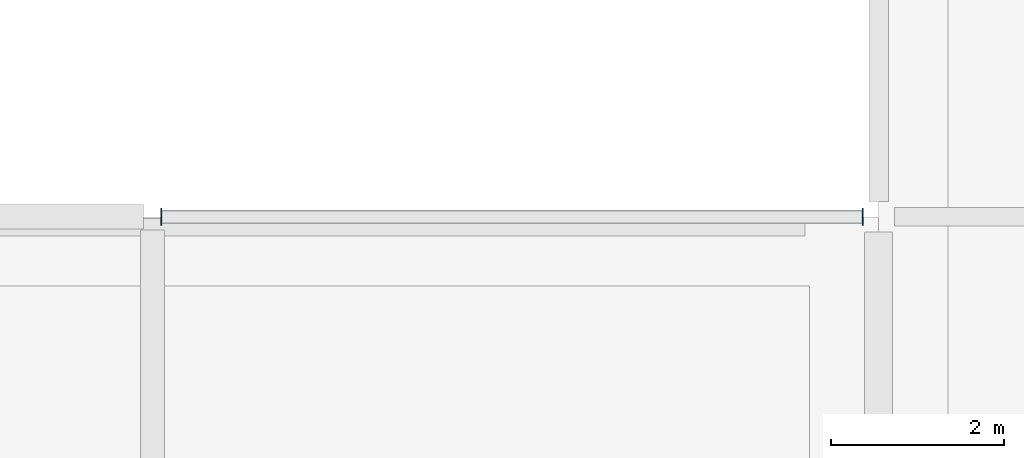
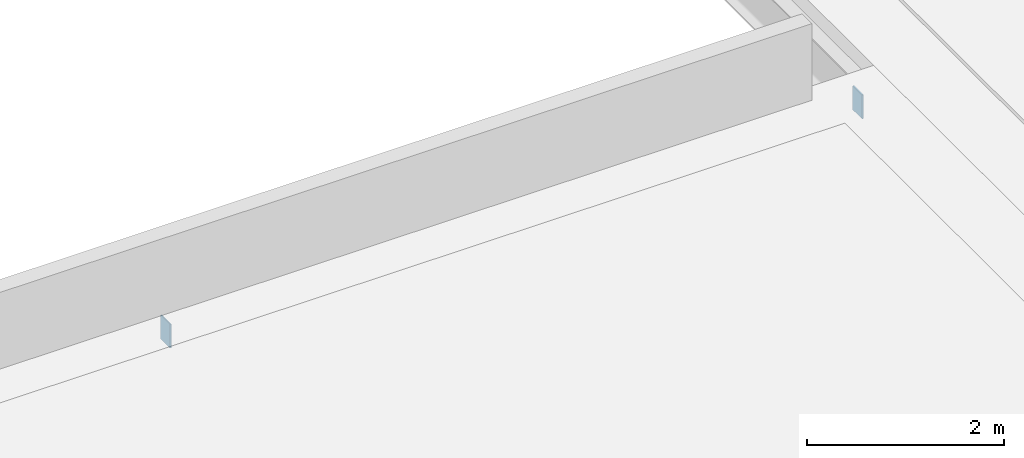
# One storey, part 119 of 153: 2 plates.
"""IFC4 building model written with IfcOpenShell, lengths in metres."""

from ifc_helpers import new_model, si_unit, direction, frame, origin, origin_2d, place, context, subcontext, project, spatial, rectangle, extrude, material, layer, layer_set, type_object, element, save


model = new_model("IFC4")

# Units and contexts
model_context = context("Model", 3, precision=1e-05, world=origin(), true_north=direction((0.0, 1.0)))
body_context = subcontext(model_context, "Body", "Model", "MODEL_VIEW")
ifc_project = project(units=[si_unit("LENGTHUNIT", "METRE"), si_unit("AREAUNIT", "SQUARE_METRE"), si_unit("VOLUMEUNIT", "CUBIC_METRE"), si_unit("PLANEANGLEUNIT", "RADIAN"), si_unit("MASSUNIT", "GRAM", prefix="KILO")], contexts=[model_context])

# Site, building, storey
site_placement = place(None, origin())
site = spatial("IfcSite", under=ifc_project, at=site_placement, CompositionType="ELEMENT")
building_placement = place(site_placement, origin())
building = spatial("IfcBuilding", under=site, at=building_placement, Name="Calvrana Isthmian Art Gallery", CompositionType="ELEMENT")
storey_placement = place(building_placement, frame((0.0, 0.0, 10.199951171875)))
storey = spatial("IfcBuildingStorey", under=building, at=storey_placement, Name="L02", CompositionType="ELEMENT", Elevation=10.199951171875)

# Plates
ifc_material = material(Name="Steel ASTM A572 Gr 50", Category="steel")
ifc_layer = layer(ifc_material, 0.01611328125, Name="Steel ASTM A572 Gr 50")
ifc_layer_set = layer_set([ifc_layer], Name="Steel ASTM A572 Gr 50")
plate_type = type_object("IfcPlateType", Name="PL-CAP-16", PredefinedType="SHEET", material=ifc_layer_set)
for number, where, z_axis, x_axis, name in (
    (1, (104.501708984375, 62.0, -0.538818359375), (0.0, 0.0, 1.0), (1.0, 0.0, 0.0), "Hollow section end cap plate 463"),
    (2, (112.615966796875, 62.0, -0.538818359375), (0.0, 0.0, 1.0), (1.0, 0.0, 0.0), "Hollow section end cap plate 464"),
):
    element("IfcPlate", number, at=place(storey_placement, frame(where, z_axis=z_axis, x_axis=x_axis)), inside=storey, type_object=plate_type, Name=name, PredefinedType="SHEET", context=body_context, shape_type="SweptSolid", body=[
        extrude(rectangle(XDim=0.01611328125, YDim=0.1923828125, at=origin_2d()), origin(), (0.0, 0.0, 1.0), 0.2939453125),
    ])

save(model, "model.ifc")
